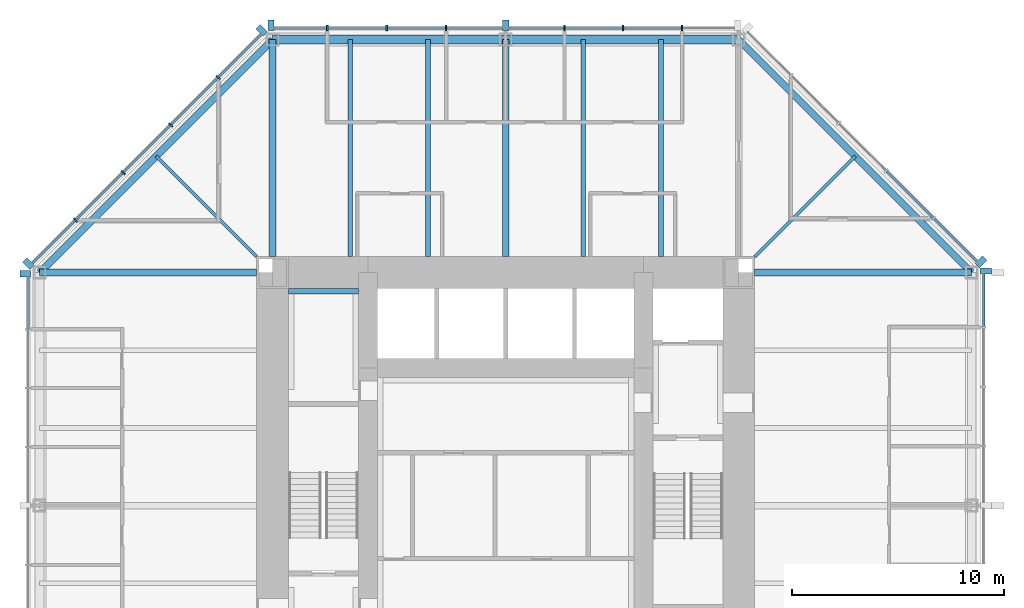
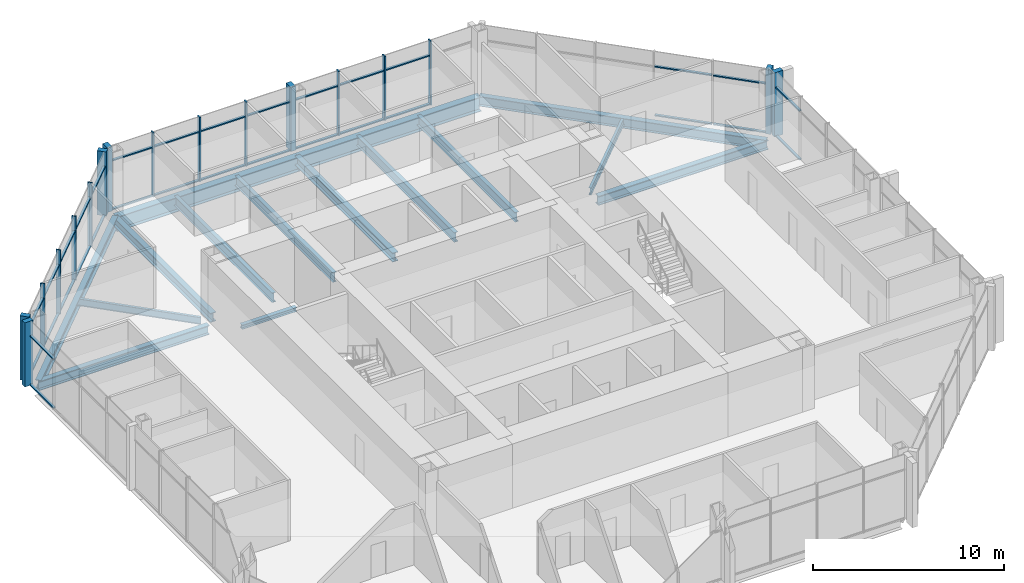
# One storey, part 5 of 12: 49 members, 15 beams, 5 elements without a shape of their own.
"""IFC4 building model written with IfcOpenShell, lengths in metres."""

from ifc_helpers import new_model, si_unit, direction, frame, origin, origin_2d, place, context, subcontext, project, spatial, rectangle, i_section, extrude, material, material_profile, profile_set, type_object, element, aggregate, save


model = new_model("IFC4")

# Units and contexts
model_context = context("Model", 3, precision=1e-05, world=origin(), true_north=direction((0.0, 1.0)))
body_context = subcontext(model_context, "Body", "Model", "MODEL_VIEW")
ifc_project = project(units=[si_unit("LENGTHUNIT", "METRE"), si_unit("AREAUNIT", "SQUARE_METRE"), si_unit("VOLUMEUNIT", "CUBIC_METRE"), si_unit("PLANEANGLEUNIT", "RADIAN"), si_unit("MASSUNIT", "GRAM", prefix="KILO")], contexts=[model_context])

# Site, building, storey
site_placement = place(None, origin())
site = spatial("IfcSite", under=ifc_project, at=site_placement, CompositionType="ELEMENT")
building_placement = place(site_placement, origin())
building = spatial("IfcBuilding", under=site, at=building_placement, Name="Trevanion Tower", CompositionType="ELEMENT")
storey_placement = place(building_placement, frame((0.0, 0.0, 162.300048828125)))
storey = spatial("IfcBuildingStorey", under=building, at=storey_placement, Name="L38", CompositionType="ELEMENT", Elevation=162.300048828125)

# Beams
ifc_material_1 = material(Name="Steel ASTM A992 Grade 50", Category="steel")
ifc_material_profile_1 = material_profile(ifc_material_1, i_section(OverallWidth=0.22900390625, OverallDepth=0.612060546875, WebThickness=0.011962890625, FlangeThickness=0.01953125, at=origin_2d()), Name="W24X84")
ifc_profile_set_1 = profile_set([ifc_material_profile_1], Name="Steel ASTM A992 Grade 50")
beam_type_1 = type_object("IfcBeamType", Name="B7 W24X84", PredefinedType="BEAM", material=ifc_profile_set_1)
for number, where, z_axis, x_axis, name in (
    (1, (7.333251953125, 11.75, -0.49609375), (0.0, 1.0, 0.0), (-1.0, 0.0, 0.0), "B7 L38"),
    (2, (3.666748046875, 11.75, -0.49609375), (0.0, 1.0, 0.0), (-1.0, 0.0, 0.0), "B7 L38"),
    (3, (-3.666748046875, 11.75, -0.49609375), (0.0, 1.0, 0.0), (-1.0, 0.0, 0.0), "B7 L38"),
    (4, (-7.333251953125, 11.75, -0.49609375), (0.0, 1.0, 0.0), (-1.0, 0.0, 0.0), "B7 L38"),
):
    element("IfcBeam", number, at=place(storey_placement, frame(where, z_axis=z_axis, x_axis=x_axis)), inside=storey, type_object=beam_type_1, Name=name, PredefinedType="BEAM", context=body_context, shape_type="SweptSolid", body=[
        extrude(i_section(OverallWidth=0.22900390625, OverallDepth=0.612060546875, WebThickness=0.011962890625, FlangeThickness=0.01953125, at=origin_2d()), origin(), (0.0, 0.0, 1.0), 10.25),
    ])
ifc_material_2 = material(Name="Steel ASTM A992 Grade 50", Category="steel")
ifc_material_profile_2 = material_profile(ifc_material_2, i_section(OverallWidth=0.15234375, OverallDepth=0.449462890625, WebThickness=0.007568359375, FlangeThickness=0.0107421875, at=origin_2d()), Name="W18X35")
ifc_profile_set_2 = profile_set([ifc_material_profile_2], Name="Steel ASTM A992 Grade 50")
beam_type_2 = type_object("IfcBeamType", Name="B8 W18X35", PredefinedType="BEAM", material=ifc_profile_set_2)
for number, where, z_axis, x_axis, name in (
    (5, (11.75, 11.75, -0.414794921875), (0.707106781187, 0.707106781187, 0.0), (-0.707106781187, 0.707106781187, 0.0), "B8 L38"),
    (6, (-11.75, 11.75, -0.414794921875), (-0.707106781187, 0.707106781187, 0.0), (-0.707106781187, -0.707106781187, 0.0), "B8 L38"),
):
    element("IfcBeam", number, at=place(storey_placement, frame(where, z_axis=z_axis, x_axis=x_axis)), inside=storey, type_object=beam_type_2, Name=name, PredefinedType="BEAM", context=body_context, shape_type="SweptSolid", body=[
        extrude(i_section(OverallWidth=0.15234375, OverallDepth=0.449462890625, WebThickness=0.007568359375, FlangeThickness=0.0107421875, at=origin_2d()), origin(), (0.0, 0.0, 1.0), 6.717529296875),
    ])

# Curtain wall, members
ifc_material_3 = material(Name="Aluminium and glass", Category="aluminium")
curtain_wall_type = type_object("IfcCurtainWallType", Name="CW2 curtain wall", PredefinedType="USERDEFINED", material=ifc_material_3)
curtain_wall_1_placement = place(storey_placement, origin())
curtain_wall_1 = element("IfcCurtainWall", 7, at=curtain_wall_1_placement, inside=storey, type_object=curtain_wall_type, Name="CW2 L38 2", ObjectType="UNITISED CURTAIN WALL", PredefinedType="USERDEFINED")
ifc_material_4 = material(Name="Aluminium extrusion, anodised bronze", Category="aluminium")
ifc_material_profile_3 = material_profile(ifc_material_4, rectangle(XDim=0.074951171875, YDim=0.25, at=origin_2d()), Name="CW2 mullion")
ifc_profile_set_3 = profile_set([ifc_material_profile_3], Name="Aluminium extrusion, anodised bronze")
member_type_1 = type_object("IfcMemberType", Name="CW2 mullion", PredefinedType="MULLION", material=ifc_profile_set_3)
member_1_placement = place(storey_placement, frame((8.323486328125, 22.550048828125, -0.18994140625), z_axis=(0.0, 0.0, 1.0), x_axis=(-1.0, 0.0, 0.0)))
member_1 = element("IfcMember", 8, at=member_1_placement, type_object=member_type_1, Name="CW2 mullion 2", PredefinedType="MULLION", context=body_context, shape_type="SweptSolid", body=[
    extrude(rectangle(XDim=0.074951171875, YDim=0.25, at=origin_2d()), origin(), (0.0, 0.0, 1.0), 4.099853515625),
])
member_2_placement = place(storey_placement, frame((5.548828125, 22.550048828125, -0.18994140625), z_axis=(0.0, 0.0, 1.0), x_axis=(-1.0, 0.0, 0.0)))
member_2 = element("IfcMember", 9, at=member_2_placement, type_object=member_type_1, Name="CW2 mullion 3", PredefinedType="MULLION", context=body_context, shape_type="SweptSolid", body=[
    extrude(rectangle(XDim=0.074951171875, YDim=0.25, at=origin_2d()), origin(), (0.0, 0.0, 1.0), 4.099853515625),
])
member_3_placement = place(storey_placement, frame((2.7744140625, 22.550048828125, -0.18994140625), z_axis=(0.0, 0.0, 1.0), x_axis=(-1.0, 0.0, 0.0)))
member_3 = element("IfcMember", 10, at=member_3_placement, type_object=member_type_1, Name="CW2 mullion 4", PredefinedType="MULLION", context=body_context, shape_type="SweptSolid", body=[
    extrude(rectangle(XDim=0.074951171875, YDim=0.25, at=origin_2d()), origin(), (0.0, 0.0, 1.0), 4.099853515625),
])
member_4_placement = place(storey_placement, frame((-2.806884765625, 22.550048828125, -0.18994140625), z_axis=(0.0, 0.0, 1.0), x_axis=(-1.0, 0.0, 0.0)))
member_4 = element("IfcMember", 11, at=member_4_placement, type_object=member_type_1, Name="CW2 mullion 6", PredefinedType="MULLION", context=body_context, shape_type="SweptSolid", body=[
    extrude(rectangle(XDim=0.074951171875, YDim=0.25, at=origin_2d()), origin(), (0.0, 0.0, 1.0), 4.099853515625),
])
member_5_placement = place(storey_placement, frame((-5.614013671875, 22.550048828125, -0.18994140625), z_axis=(0.0, 0.0, 1.0), x_axis=(-1.0, 0.0, 0.0)))
member_5 = element("IfcMember", 12, at=member_5_placement, type_object=member_type_1, Name="CW2 mullion 7", PredefinedType="MULLION", context=body_context, shape_type="SweptSolid", body=[
    extrude(rectangle(XDim=0.074951171875, YDim=0.25, at=origin_2d()), origin(), (0.0, 0.0, 1.0), 4.099853515625),
])
member_6_placement = place(storey_placement, frame((-8.4208984375, 22.550048828125, -0.18994140625), z_axis=(0.0, 0.0, 1.0), x_axis=(-1.0, 0.0, 0.0)))
member_6 = element("IfcMember", 13, at=member_6_placement, type_object=member_type_1, Name="CW2 mullion 8", PredefinedType="MULLION", context=body_context, shape_type="SweptSolid", body=[
    extrude(rectangle(XDim=0.074951171875, YDim=0.25, at=origin_2d()), origin(), (0.0, 0.0, 1.0), 4.099853515625),
])

curtain_wall_2_placement = place(storey_placement, origin())
curtain_wall_2 = element("IfcCurtainWall", 14, at=curtain_wall_2_placement, inside=storey, type_object=curtain_wall_type, Name="CW2 L38 3", ObjectType="UNITISED CURTAIN WALL", PredefinedType="USERDEFINED")
member_7_placement = place(storey_placement, frame((-13.56591796875, 20.2119140625, -0.18994140625), z_axis=(0.0, 0.0, 1.0), x_axis=(-0.707106781187, -0.707106781187, 0.0)))
member_7 = element("IfcMember", 15, at=member_7_placement, type_object=member_type_1, Name="CW2 mullion 2", PredefinedType="MULLION", context=body_context, shape_type="SweptSolid", body=[
    extrude(rectangle(XDim=0.074951171875, YDim=0.25, at=origin_2d()), origin(), (0.0, 0.0, 1.0), 4.099853515625),
])
member_8_placement = place(storey_placement, frame((-15.811767578125, 17.966064453125, -0.18994140625), z_axis=(0.0, 0.0, 1.0), x_axis=(-0.707106781187, -0.707106781187, 0.0)))
member_8 = element("IfcMember", 16, at=member_8_placement, type_object=member_type_1, Name="CW2 mullion 3", PredefinedType="MULLION", context=body_context, shape_type="SweptSolid", body=[
    extrude(rectangle(XDim=0.074951171875, YDim=0.25, at=origin_2d()), origin(), (0.0, 0.0, 1.0), 4.099853515625),
])
member_9_placement = place(storey_placement, frame((-18.057861328125, 15.719970703125, -0.18994140625), z_axis=(0.0, 0.0, 1.0), x_axis=(-0.707106781187, -0.707106781187, 0.0)))
member_9 = element("IfcMember", 17, at=member_9_placement, type_object=member_type_1, Name="CW2 mullion 4", PredefinedType="MULLION", context=body_context, shape_type="SweptSolid", body=[
    extrude(rectangle(XDim=0.074951171875, YDim=0.25, at=origin_2d()), origin(), (0.0, 0.0, 1.0), 4.099853515625),
])
member_10_placement = place(storey_placement, frame((-20.303955078125, 13.473876953125, -0.18994140625), z_axis=(0.0, 0.0, 1.0), x_axis=(-0.707106781187, -0.707106781187, 0.0)))
member_10 = element("IfcMember", 18, at=member_10_placement, type_object=member_type_1, Name="CW2 mullion 5", PredefinedType="MULLION", context=body_context, shape_type="SweptSolid", body=[
    extrude(rectangle(XDim=0.074951171875, YDim=0.25, at=origin_2d()), origin(), (0.0, 0.0, 1.0), 4.099853515625),
])

# Curtain wall, member
curtain_wall_3_placement = place(storey_placement, origin())
curtain_wall_3 = element("IfcCurtainWall", 19, at=curtain_wall_3_placement, inside=storey, type_object=curtain_wall_type, Name="CW2 L38 0", ObjectType="UNITISED CURTAIN WALL", PredefinedType="USERDEFINED")
ifc_material_5 = material(Name="Aluminium extrusion, anodised bronze", Category="aluminium")
ifc_material_profile_4 = material_profile(ifc_material_5, rectangle(XDim=0.300048828125, YDim=0.5, at=origin_2d()), Name="CW2 pier mullion")
ifc_profile_set_4 = profile_set([ifc_material_profile_4], Name="Aluminium extrusion, anodised bronze")
member_type_2 = type_object("IfcMemberType", Name="CW2 pier mullion", PredefinedType="MULLION", material=ifc_profile_set_4)
member_11_placement = place(storey_placement, frame((22.675048828125, 11.077880859375, -0.18994140625), z_axis=(0.0, 0.0, 1.0), x_axis=(0.0, 1.0, 0.0)))
member_11 = element("IfcMember", 20, at=member_11_placement, type_object=member_type_2, Name="CW2 pier mullion 9", PredefinedType="MULLION", context=body_context, shape_type="SweptSolid", body=[
    extrude(rectangle(XDim=0.300048828125, YDim=0.5, at=origin_2d()), origin(), (0.0, 0.0, 1.0), 4.099853515625),
])

curtain_wall_4_placement = place(storey_placement, origin())
curtain_wall_4 = element("IfcCurtainWall", 21, at=curtain_wall_4_placement, inside=storey, type_object=curtain_wall_type, Name="CW2 L38 1", ObjectType="UNITISED CURTAIN WALL", PredefinedType="USERDEFINED")
member_12_placement = place(storey_placement, frame((22.4404296875, 11.51416015625, -0.18994140625), z_axis=(0.0, 0.0, 1.0), x_axis=(-0.707106781187, 0.707106781187, 0.0)))
member_12 = element("IfcMember", 22, at=member_12_placement, type_object=member_type_2, Name="CW2 pier mullion 1", PredefinedType="MULLION", context=body_context, shape_type="SweptSolid", body=[
    extrude(rectangle(XDim=0.300048828125, YDim=0.5, at=origin_2d()), origin(), (0.0, 0.0, 1.0), 4.099853515625),
])

# Member
member_13_placement = place(storey_placement, frame((0.0, 22.675048828125, -0.18994140625), z_axis=(0.0, 0.0, 1.0), x_axis=(-1.0, 0.0, 0.0)))
member_13 = element("IfcMember", 23, at=member_13_placement, type_object=member_type_2, Name="CW2 pier mullion 5", PredefinedType="MULLION", context=body_context, shape_type="SweptSolid", body=[
    extrude(rectangle(XDim=0.300048828125, YDim=0.5, at=origin_2d()), origin(), (0.0, 0.0, 1.0), 4.099853515625),
])

member_14_placement = place(storey_placement, frame((-11.077880859375, 22.675048828125, -0.18994140625), z_axis=(0.0, 0.0, 1.0), x_axis=(-1.0, 0.0, 0.0)))
member_14 = element("IfcMember", 24, at=member_14_placement, type_object=member_type_2, Name="CW2 pier mullion 9", PredefinedType="MULLION", context=body_context, shape_type="SweptSolid", body=[
    extrude(rectangle(XDim=0.300048828125, YDim=0.5, at=origin_2d()), origin(), (0.0, 0.0, 1.0), 4.099853515625),
])

member_15_placement = place(storey_placement, frame((-11.51416015625, 22.4404296875, -0.18994140625), z_axis=(0.0, 0.0, 1.0), x_axis=(-0.707106781187, -0.707106781187, 0.0)))
member_15 = element("IfcMember", 25, at=member_15_placement, type_object=member_type_2, Name="CW2 pier mullion 1", PredefinedType="MULLION", context=body_context, shape_type="SweptSolid", body=[
    extrude(rectangle(XDim=0.300048828125, YDim=0.5, at=origin_2d()), origin(), (0.0, 0.0, 1.0), 4.099853515625),
])

member_16_placement = place(storey_placement, frame((-22.5322265625, 11.42236328125, -0.18994140625), z_axis=(0.0, 0.0, 1.0), x_axis=(-0.707106781187, -0.707106781187, 0.0)))
member_16 = element("IfcMember", 26, at=member_16_placement, type_object=member_type_2, Name="CW2 pier mullion 6", PredefinedType="MULLION", context=body_context, shape_type="SweptSolid", body=[
    extrude(rectangle(XDim=0.300048828125, YDim=0.5, at=origin_2d()), origin(), (0.0, 0.0, 1.0), 4.099853515625),
])

# Curtain wall, member
curtain_wall_5_placement = place(storey_placement, origin())
curtain_wall_5 = element("IfcCurtainWall", 27, at=curtain_wall_5_placement, inside=storey, type_object=curtain_wall_type, Name="CW2 L38 4", ObjectType="UNITISED CURTAIN WALL", PredefinedType="USERDEFINED")
member_17_placement = place(storey_placement, frame((-22.675048828125, 10.94775390625, -0.18994140625), z_axis=(0.0, 0.0, 1.0), x_axis=(0.0, -1.0, 0.0)))
member_17 = element("IfcMember", 28, at=member_17_placement, type_object=member_type_2, Name="CW2 pier mullion 1", PredefinedType="MULLION", context=body_context, shape_type="SweptSolid", body=[
    extrude(rectangle(XDim=0.300048828125, YDim=0.5, at=origin_2d()), origin(), (0.0, 0.0, 1.0), 4.099853515625),
])

# Member
ifc_material_6 = material(Name="Aluminium extrusion, anodised bronze", Category="aluminium")
ifc_material_profile_5 = material_profile(ifc_material_6, rectangle(XDim=0.14990234375, YDim=0.074951171875, at=origin_2d()), Name="CW2 transom")
ifc_profile_set_5 = profile_set([ifc_material_profile_5], Name="Aluminium extrusion, anodised bronze")
member_type_3 = type_object("IfcMemberType", Name="CW2 transom", PredefinedType="USERDEFINED", material=ifc_profile_set_5)
member_18_placement = place(storey_placement, frame((22.550048828125, 8.45849609375, -0.152587890625), z_axis=(0.0, 1.0, 0.0), x_axis=(-1.0, 0.0, 0.0)))
member_18 = element("IfcMember", 29, at=member_18_placement, type_object=member_type_3, Name="CW2 transom 8.1", ObjectType="TRANSOM", PredefinedType="USERDEFINED", context=body_context, shape_type="SweptSolid", body=[
    extrude(rectangle(XDim=0.14990234375, YDim=0.074951171875, at=origin_2d()), origin(), (0.0, 0.0, 1.0), 2.46923828125),
])

member_19_placement = place(storey_placement, frame((22.550048828125, 8.45849609375, 2.9599609375), z_axis=(0.0, 1.0, 0.0), x_axis=(-1.0, 0.0, 0.0)))
member_19 = element("IfcMember", 30, at=member_19_placement, type_object=member_type_3, Name="CW2 transom 8.2", ObjectType="TRANSOM", PredefinedType="USERDEFINED", context=body_context, shape_type="SweptSolid", body=[
    extrude(rectangle(XDim=0.14990234375, YDim=0.074951171875, at=origin_2d()), origin(), (0.0, 0.0, 1.0), 2.46923828125),
])

aggregate(curtain_wall_3, [member_11, member_18, member_19])

member_20_placement = place(storey_placement, frame((22.245849609375, 11.531982421875, -0.152587890625), z_axis=(-0.707106781187, 0.707106781187, 0.0), x_axis=(-0.707106781187, -0.707106781187, 0.0)))
member_20 = element("IfcMember", 31, at=member_20_placement, type_object=member_type_3, Name="CW2 transom 1.1", ObjectType="TRANSOM", PredefinedType="USERDEFINED", context=body_context, shape_type="SweptSolid", body=[
    extrude(rectangle(XDim=0.14990234375, YDim=0.074951171875, at=origin_2d()), origin(), (0.0, 0.0, 1.0), 2.8388671875),
])

member_21_placement = place(storey_placement, frame((22.245849609375, 11.531982421875, 2.9599609375), z_axis=(-0.707106781187, 0.707106781187, 0.0), x_axis=(-0.707106781187, -0.707106781187, 0.0)))
member_21 = element("IfcMember", 32, at=member_21_placement, type_object=member_type_3, Name="CW2 transom 1.2", ObjectType="TRANSOM", PredefinedType="USERDEFINED", context=body_context, shape_type="SweptSolid", body=[
    extrude(rectangle(XDim=0.14990234375, YDim=0.074951171875, at=origin_2d()), origin(), (0.0, 0.0, 1.0), 2.8388671875),
])

member_22_placement = place(storey_placement, frame((20.185546875, 13.59228515625, -0.152587890625), z_axis=(-0.707106781187, 0.707106781187, 0.0), x_axis=(-0.707106781187, -0.707106781187, 0.0)))
member_22 = element("IfcMember", 33, at=member_22_placement, type_object=member_type_3, Name="CW2 transom 2.1", ObjectType="TRANSOM", PredefinedType="USERDEFINED", context=body_context, shape_type="SweptSolid", body=[
    extrude(rectangle(XDim=0.14990234375, YDim=0.074951171875, at=origin_2d()), origin(), (0.0, 0.0, 1.0), 3.1015625),
])

member_23_placement = place(storey_placement, frame((20.185546875, 13.59228515625, 2.9599609375), z_axis=(-0.707106781187, 0.707106781187, 0.0), x_axis=(-0.707106781187, -0.707106781187, 0.0)))
member_23 = element("IfcMember", 34, at=member_23_placement, type_object=member_type_3, Name="CW2 transom 2.2", ObjectType="TRANSOM", PredefinedType="USERDEFINED", context=body_context, shape_type="SweptSolid", body=[
    extrude(rectangle(XDim=0.14990234375, YDim=0.074951171875, at=origin_2d()), origin(), (0.0, 0.0, 1.0), 3.1015625),
])

aggregate(curtain_wall_4, [member_12, member_20, member_21, member_22, member_23])

member_24_placement = place(storey_placement, frame((8.285888671875, 22.550048828125, -0.152587890625), z_axis=(-1.0, 0.0, 0.0), x_axis=(0.0, -1.0, 0.0)))
member_24 = element("IfcMember", 35, at=member_24_placement, type_object=member_type_3, Name="CW2 transom 2.1", ObjectType="TRANSOM", PredefinedType="USERDEFINED", context=body_context, shape_type="SweptSolid", body=[
    extrude(rectangle(XDim=0.14990234375, YDim=0.074951171875, at=origin_2d()), origin(), (0.0, 0.0, 1.0), 2.699462890625),
])

member_25_placement = place(storey_placement, frame((8.285888671875, 22.550048828125, 2.9599609375), z_axis=(-1.0, 0.0, 0.0), x_axis=(0.0, -1.0, 0.0)))
member_25 = element("IfcMember", 36, at=member_25_placement, type_object=member_type_3, Name="CW2 transom 2.2", ObjectType="TRANSOM", PredefinedType="USERDEFINED", context=body_context, shape_type="SweptSolid", body=[
    extrude(rectangle(XDim=0.14990234375, YDim=0.074951171875, at=origin_2d()), origin(), (0.0, 0.0, 1.0), 2.699462890625),
])

member_26_placement = place(storey_placement, frame((5.511474609375, 22.550048828125, -0.152587890625), z_axis=(-1.0, 0.0, 0.0), x_axis=(0.0, -1.0, 0.0)))
member_26 = element("IfcMember", 37, at=member_26_placement, type_object=member_type_3, Name="CW2 transom 3.1", ObjectType="TRANSOM", PredefinedType="USERDEFINED", context=body_context, shape_type="SweptSolid", body=[
    extrude(rectangle(XDim=0.14990234375, YDim=0.074951171875, at=origin_2d()), origin(), (0.0, 0.0, 1.0), 2.699462890625),
])

member_27_placement = place(storey_placement, frame((5.511474609375, 22.550048828125, 2.9599609375), z_axis=(-1.0, 0.0, 0.0), x_axis=(0.0, -1.0, 0.0)))
member_27 = element("IfcMember", 38, at=member_27_placement, type_object=member_type_3, Name="CW2 transom 3.2", ObjectType="TRANSOM", PredefinedType="USERDEFINED", context=body_context, shape_type="SweptSolid", body=[
    extrude(rectangle(XDim=0.14990234375, YDim=0.074951171875, at=origin_2d()), origin(), (0.0, 0.0, 1.0), 2.699462890625),
])

member_28_placement = place(storey_placement, frame((2.737060546875, 22.550048828125, -0.152587890625), z_axis=(-1.0, 0.0, 0.0), x_axis=(0.0, -1.0, 0.0)))
member_28 = element("IfcMember", 39, at=member_28_placement, type_object=member_type_3, Name="CW2 transom 4.1", ObjectType="TRANSOM", PredefinedType="USERDEFINED", context=body_context, shape_type="SweptSolid", body=[
    extrude(rectangle(XDim=0.14990234375, YDim=0.074951171875, at=origin_2d()), origin(), (0.0, 0.0, 1.0), 2.587158203125),
])

member_29_placement = place(storey_placement, frame((2.737060546875, 22.550048828125, 2.9599609375), z_axis=(-1.0, 0.0, 0.0), x_axis=(0.0, -1.0, 0.0)))
member_29 = element("IfcMember", 40, at=member_29_placement, type_object=member_type_3, Name="CW2 transom 4.2", ObjectType="TRANSOM", PredefinedType="USERDEFINED", context=body_context, shape_type="SweptSolid", body=[
    extrude(rectangle(XDim=0.14990234375, YDim=0.074951171875, at=origin_2d()), origin(), (0.0, 0.0, 1.0), 2.587158203125),
])

member_30_placement = place(storey_placement, frame((-0.14990234375, 22.550048828125, -0.152587890625), z_axis=(-1.0, 0.0, 0.0), x_axis=(0.0, -1.0, 0.0)))
member_30 = element("IfcMember", 41, at=member_30_placement, type_object=member_type_3, Name="CW2 transom 5.1", ObjectType="TRANSOM", PredefinedType="USERDEFINED", context=body_context, shape_type="SweptSolid", body=[
    extrude(rectangle(XDim=0.14990234375, YDim=0.074951171875, at=origin_2d()), origin(), (0.0, 0.0, 1.0), 2.619384765625),
])

member_31_placement = place(storey_placement, frame((-0.14990234375, 22.550048828125, 2.9599609375), z_axis=(-1.0, 0.0, 0.0), x_axis=(0.0, -1.0, 0.0)))
member_31 = element("IfcMember", 42, at=member_31_placement, type_object=member_type_3, Name="CW2 transom 5.2", ObjectType="TRANSOM", PredefinedType="USERDEFINED", context=body_context, shape_type="SweptSolid", body=[
    extrude(rectangle(XDim=0.14990234375, YDim=0.074951171875, at=origin_2d()), origin(), (0.0, 0.0, 1.0), 2.619384765625),
])

member_32_placement = place(storey_placement, frame((-2.844482421875, 22.550048828125, -0.152587890625), z_axis=(-1.0, 0.0, 0.0), x_axis=(0.0, -1.0, 0.0)))
member_32 = element("IfcMember", 43, at=member_32_placement, type_object=member_type_3, Name="CW2 transom 6.1", ObjectType="TRANSOM", PredefinedType="USERDEFINED", context=body_context, shape_type="SweptSolid", body=[
    extrude(rectangle(XDim=0.14990234375, YDim=0.074951171875, at=origin_2d()), origin(), (0.0, 0.0, 1.0), 2.73193359375),
])

member_33_placement = place(storey_placement, frame((-2.844482421875, 22.550048828125, 2.9599609375), z_axis=(-1.0, 0.0, 0.0), x_axis=(0.0, -1.0, 0.0)))
member_33 = element("IfcMember", 44, at=member_33_placement, type_object=member_type_3, Name="CW2 transom 6.2", ObjectType="TRANSOM", PredefinedType="USERDEFINED", context=body_context, shape_type="SweptSolid", body=[
    extrude(rectangle(XDim=0.14990234375, YDim=0.074951171875, at=origin_2d()), origin(), (0.0, 0.0, 1.0), 2.73193359375),
])

member_34_placement = place(storey_placement, frame((-5.6513671875, 22.550048828125, -0.152587890625), z_axis=(-1.0, 0.0, 0.0), x_axis=(0.0, -1.0, 0.0)))
member_34 = element("IfcMember", 45, at=member_34_placement, type_object=member_type_3, Name="CW2 transom 7.1", ObjectType="TRANSOM", PredefinedType="USERDEFINED", context=body_context, shape_type="SweptSolid", body=[
    extrude(rectangle(XDim=0.14990234375, YDim=0.074951171875, at=origin_2d()), origin(), (0.0, 0.0, 1.0), 2.73193359375),
])

member_35_placement = place(storey_placement, frame((-5.6513671875, 22.550048828125, 2.9599609375), z_axis=(-1.0, 0.0, 0.0), x_axis=(0.0, -1.0, 0.0)))
member_35 = element("IfcMember", 46, at=member_35_placement, type_object=member_type_3, Name="CW2 transom 7.2", ObjectType="TRANSOM", PredefinedType="USERDEFINED", context=body_context, shape_type="SweptSolid", body=[
    extrude(rectangle(XDim=0.14990234375, YDim=0.074951171875, at=origin_2d()), origin(), (0.0, 0.0, 1.0), 2.73193359375),
])

member_36_placement = place(storey_placement, frame((-8.45849609375, 22.550048828125, -0.152587890625), z_axis=(-1.0, 0.0, 0.0), x_axis=(0.0, -1.0, 0.0)))
member_36 = element("IfcMember", 47, at=member_36_placement, type_object=member_type_3, Name="CW2 transom 8.1", ObjectType="TRANSOM", PredefinedType="USERDEFINED", context=body_context, shape_type="SweptSolid", body=[
    extrude(rectangle(XDim=0.14990234375, YDim=0.074951171875, at=origin_2d()), origin(), (0.0, 0.0, 1.0), 2.46923828125),
])

member_37_placement = place(storey_placement, frame((-8.45849609375, 22.550048828125, 2.9599609375), z_axis=(-1.0, 0.0, 0.0), x_axis=(0.0, -1.0, 0.0)))
member_37 = element("IfcMember", 48, at=member_37_placement, type_object=member_type_3, Name="CW2 transom 8.2", ObjectType="TRANSOM", PredefinedType="USERDEFINED", context=body_context, shape_type="SweptSolid", body=[
    extrude(rectangle(XDim=0.14990234375, YDim=0.074951171875, at=origin_2d()), origin(), (0.0, 0.0, 1.0), 2.46923828125),
])

aggregate(curtain_wall_1, [member_1, member_2, member_3, member_13, member_4, member_5, member_6, member_14, member_24, member_25, member_26, member_27, member_28, member_29, member_30, member_31, member_32, member_33, member_34, member_35, member_36, member_37])

member_38_placement = place(storey_placement, frame((-11.531982421875, 22.245849609375, -0.152587890625), z_axis=(-0.707106781187, -0.707106781187, 0.0), x_axis=(0.707106781187, -0.707106781187, 0.0)))
member_38 = element("IfcMember", 49, at=member_38_placement, type_object=member_type_3, Name="CW2 transom 1.1", ObjectType="TRANSOM", PredefinedType="USERDEFINED", context=body_context, shape_type="SweptSolid", body=[
    extrude(rectangle(XDim=0.14990234375, YDim=0.074951171875, at=origin_2d()), origin(), (0.0, 0.0, 1.0), 2.8388671875),
])

member_39_placement = place(storey_placement, frame((-11.531982421875, 22.245849609375, 2.9599609375), z_axis=(-0.707106781187, -0.707106781187, 0.0), x_axis=(0.707106781187, -0.707106781187, 0.0)))
member_39 = element("IfcMember", 50, at=member_39_placement, type_object=member_type_3, Name="CW2 transom 1.2", ObjectType="TRANSOM", PredefinedType="USERDEFINED", context=body_context, shape_type="SweptSolid", body=[
    extrude(rectangle(XDim=0.14990234375, YDim=0.074951171875, at=origin_2d()), origin(), (0.0, 0.0, 1.0), 2.8388671875),
])

member_40_placement = place(storey_placement, frame((-13.59228515625, 20.185546875, -0.152587890625), z_axis=(-0.707106781187, -0.707106781187, 0.0), x_axis=(0.707106781187, -0.707106781187, 0.0)))
member_40 = element("IfcMember", 51, at=member_40_placement, type_object=member_type_3, Name="CW2 transom 2.1", ObjectType="TRANSOM", PredefinedType="USERDEFINED", context=body_context, shape_type="SweptSolid", body=[
    extrude(rectangle(XDim=0.14990234375, YDim=0.074951171875, at=origin_2d()), origin(), (0.0, 0.0, 1.0), 3.1015625),
])

member_41_placement = place(storey_placement, frame((-13.59228515625, 20.185546875, 2.9599609375), z_axis=(-0.707106781187, -0.707106781187, 0.0), x_axis=(0.707106781187, -0.707106781187, 0.0)))
member_41 = element("IfcMember", 52, at=member_41_placement, type_object=member_type_3, Name="CW2 transom 2.2", ObjectType="TRANSOM", PredefinedType="USERDEFINED", context=body_context, shape_type="SweptSolid", body=[
    extrude(rectangle(XDim=0.14990234375, YDim=0.074951171875, at=origin_2d()), origin(), (0.0, 0.0, 1.0), 3.1015625),
])

member_42_placement = place(storey_placement, frame((-15.83837890625, 17.939453125, -0.152587890625), z_axis=(-0.707106781187, -0.707106781187, 0.0), x_axis=(0.707106781187, -0.707106781187, 0.0)))
member_42 = element("IfcMember", 53, at=member_42_placement, type_object=member_type_3, Name="CW2 transom 3.1", ObjectType="TRANSOM", PredefinedType="USERDEFINED", context=body_context, shape_type="SweptSolid", body=[
    extrude(rectangle(XDim=0.14990234375, YDim=0.074951171875, at=origin_2d()), origin(), (0.0, 0.0, 1.0), 3.1015625),
])

member_43_placement = place(storey_placement, frame((-15.83837890625, 17.939453125, 2.9599609375), z_axis=(-0.707106781187, -0.707106781187, 0.0), x_axis=(0.707106781187, -0.707106781187, 0.0)))
member_43 = element("IfcMember", 54, at=member_43_placement, type_object=member_type_3, Name="CW2 transom 3.2", ObjectType="TRANSOM", PredefinedType="USERDEFINED", context=body_context, shape_type="SweptSolid", body=[
    extrude(rectangle(XDim=0.14990234375, YDim=0.074951171875, at=origin_2d()), origin(), (0.0, 0.0, 1.0), 3.1015625),
])

member_44_placement = place(storey_placement, frame((-18.08447265625, 15.693359375, -0.152587890625), z_axis=(-0.707106781187, -0.707106781187, 0.0), x_axis=(0.707106781187, -0.707106781187, 0.0)))
member_44 = element("IfcMember", 55, at=member_44_placement, type_object=member_type_3, Name="CW2 transom 4.1", ObjectType="TRANSOM", PredefinedType="USERDEFINED", context=body_context, shape_type="SweptSolid", body=[
    extrude(rectangle(XDim=0.14990234375, YDim=0.074951171875, at=origin_2d()), origin(), (0.0, 0.0, 1.0), 3.10107421875),
])

member_45_placement = place(storey_placement, frame((-18.08447265625, 15.693359375, 2.9599609375), z_axis=(-0.707106781187, -0.707106781187, 0.0), x_axis=(0.707106781187, -0.707106781187, 0.0)))
member_45 = element("IfcMember", 56, at=member_45_placement, type_object=member_type_3, Name="CW2 transom 4.2", ObjectType="TRANSOM", PredefinedType="USERDEFINED", context=body_context, shape_type="SweptSolid", body=[
    extrude(rectangle(XDim=0.14990234375, YDim=0.074951171875, at=origin_2d()), origin(), (0.0, 0.0, 1.0), 3.10107421875),
])

member_46_placement = place(storey_placement, frame((-20.33056640625, 13.447509765625, -0.152587890625), z_axis=(-0.707063781595, -0.707149778163, 0.0), x_axis=(0.707149778163, -0.707063781595, 0.0)))
member_46 = element("IfcMember", 57, at=member_46_placement, type_object=member_type_3, Name="CW2 transom 5.1", ObjectType="TRANSOM", PredefinedType="USERDEFINED", context=body_context, shape_type="SweptSolid", body=[
    extrude(rectangle(XDim=0.14990234375, YDim=0.074951171875, at=origin_2d()), origin(), (0.0, 0.0, 1.0), 2.8388671875),
])

member_47_placement = place(storey_placement, frame((-20.33056640625, 13.447509765625, 2.9599609375), z_axis=(-0.707063781595, -0.707149778163, 0.0), x_axis=(0.707149778163, -0.707063781595, 0.0)))
member_47 = element("IfcMember", 58, at=member_47_placement, type_object=member_type_3, Name="CW2 transom 5.2", ObjectType="TRANSOM", PredefinedType="USERDEFINED", context=body_context, shape_type="SweptSolid", body=[
    extrude(rectangle(XDim=0.14990234375, YDim=0.074951171875, at=origin_2d()), origin(), (0.0, 0.0, 1.0), 2.8388671875),
])

aggregate(curtain_wall_2, [member_15, member_7, member_8, member_9, member_10, member_16, member_38, member_39, member_40, member_41, member_42, member_43, member_44, member_45, member_46, member_47])

member_48_placement = place(storey_placement, frame((-22.550048828125, 10.7978515625, -0.152587890625), z_axis=(0.0, -1.0, 0.0), x_axis=(1.0, 0.0, 0.0)))
member_48 = element("IfcMember", 59, at=member_48_placement, type_object=member_type_3, Name="CW2 transom 1.1", ObjectType="TRANSOM", PredefinedType="USERDEFINED", context=body_context, shape_type="SweptSolid", body=[
    extrude(rectangle(XDim=0.14990234375, YDim=0.074951171875, at=origin_2d()), origin(), (0.0, 0.0, 1.0), 2.43701171875),
])

member_49_placement = place(storey_placement, frame((-22.550048828125, 10.7978515625, 2.9599609375), z_axis=(0.0, -1.0, 0.0), x_axis=(1.0, 0.0, 0.0)))
member_49 = element("IfcMember", 60, at=member_49_placement, type_object=member_type_3, Name="CW2 transom 1.2", ObjectType="TRANSOM", PredefinedType="USERDEFINED", context=body_context, shape_type="SweptSolid", body=[
    extrude(rectangle(XDim=0.14990234375, YDim=0.074951171875, at=origin_2d()), origin(), (0.0, 0.0, 1.0), 2.43701171875),
])

aggregate(curtain_wall_5, [member_17, member_48, member_49])

# Beams
ifc_material_7 = material(Name="Steel ASTM A992 Grade 50", Category="steel")
ifc_material_profile_6 = material_profile(ifc_material_7, i_section(OverallWidth=0.320068359375, OverallDepth=0.584228515625, WebThickness=0.023193359375, FlangeThickness=0.04150390625, at=origin_2d()), Name="W21X201")
ifc_profile_set_6 = profile_set([ifc_material_profile_6], Name="Steel ASTM A992 Grade 50")
beam_type_3 = type_object("IfcBeamType", Name="G4 W21X201", PredefinedType="BEAM", material=ifc_profile_set_6)
for number, where, z_axis, x_axis, name in (
    (61, (11.75, 11.0, -0.482177734375), (1.0, 0.0, 0.0), (0.0, 1.0, 0.0), "G4 L38"),
    (62, (0.0, 11.75, -0.482177734375), (0.0, 1.0, 0.0), (-1.0, 0.0, 0.0), "G4 L38"),
    (63, (-11.0, 11.75, -0.482177734375), (0.0, 1.0, 0.0), (-1.0, 0.0, 0.0), "G4 L38"),
    (64, (-11.75, 11.0, -0.482177734375), (-1.0, 0.0, 0.0), (0.0, -1.0, 0.0), "G4 L38"),
):
    element("IfcBeam", number, at=place(storey_placement, frame(where, z_axis=z_axis, x_axis=x_axis)), inside=storey, type_object=beam_type_3, Name=name, PredefinedType="BEAM", context=body_context, shape_type="SweptSolid", body=[
        extrude(i_section(OverallWidth=0.320068359375, OverallDepth=0.584228515625, WebThickness=0.023193359375, FlangeThickness=0.04150390625, at=origin_2d()), origin(), (0.0, 0.0, 1.0), 10.25),
    ])
ifc_material_8 = material(Name="Steel ASTM A992 Grade 50", Category="steel")
ifc_material_profile_7 = material_profile(ifc_material_8, i_section(OverallWidth=0.256591796875, OverallDepth=0.26416015625, WebThickness=0.011962890625, FlangeThickness=0.01953125, at=origin_2d()), Name="W10X68")
ifc_profile_set_7 = profile_set([ifc_material_profile_7], Name="Steel ASTM A992 Grade 50")
beam_type_4 = type_object("IfcBeamType", Name="LB1 W10X68", PredefinedType="BEAM", material=ifc_profile_set_7)
beam_placement = place(storey_placement, frame((-10.25, 10.12158203125, -0.33203125), z_axis=(1.0, 0.0, 0.0), x_axis=(0.0, 1.0, 0.0)))
element("IfcBeam", 65, at=beam_placement, inside=storey, type_object=beam_type_4, Name="LB1 L38", PredefinedType="BEAM", context=body_context, shape_type="SweptSolid", body=[
    extrude(i_section(OverallWidth=0.256591796875, OverallDepth=0.26416015625, WebThickness=0.011962890625, FlangeThickness=0.01953125, at=origin_2d()), origin(), (0.0, 0.0, 1.0), 3.300048828125),
])
ifc_material_9 = material(Name="Steel ASTM A992 Grade 50", Category="steel")
ifc_material_profile_8 = material_profile(ifc_material_9, i_section(OverallWidth=0.419189453125, OverallDepth=0.927001953125, WebThickness=0.019287109375, FlangeThickness=0.031982421875, at=origin_2d()), Name="W36X231")
ifc_profile_set_8 = profile_set([ifc_material_profile_8], Name="Steel ASTM A992 Grade 50")
beam_type_5 = type_object("IfcBeamType", Name="SB4 W36X231", PredefinedType="SPANDREL", material=ifc_profile_set_8)
for number, where, z_axis, x_axis, name in (
    (66, (11.0, 22.0, -0.653564453125), (-1.0, 0.0, 0.0), (0.0, -1.0, 0.0), "SB4 L38"),
    (67, (0.0, 22.0, -0.653564453125), (-1.0, 0.0, 0.0), (0.0, -1.0, 0.0), "SB4 L38"),
):
    element("IfcBeam", number, at=place(storey_placement, frame(where, z_axis=z_axis, x_axis=x_axis)), inside=storey, type_object=beam_type_5, Name=name, PredefinedType="SPANDREL", context=body_context, shape_type="SweptSolid", body=[
        extrude(i_section(OverallWidth=0.419189453125, OverallDepth=0.927001953125, WebThickness=0.019287109375, FlangeThickness=0.031982421875, at=origin_2d()), origin(), (0.0, 0.0, 1.0), 11.0),
    ])
ifc_material_10 = material(Name="Steel ASTM A992 Grade 50", Category="steel")
ifc_material_profile_9 = material_profile(ifc_material_10, i_section(OverallWidth=0.32763671875, OverallDepth=0.62744140625, WebThickness=0.0166015625, FlangeThickness=0.027587890625, at=origin_2d()), Name="W24X146")
ifc_profile_set_9 = profile_set([ifc_material_profile_9], Name="Steel ASTM A992 Grade 50")
beam_type_6 = type_object("IfcBeamType", Name="SB5 W24X146", PredefinedType="SPANDREL", material=ifc_profile_set_9)
for number, where, z_axis, x_axis, name in (
    (68, (22.0, 11.0, -0.503662109375), (-0.707106781187, 0.707106781187, 0.0), (-0.707106781187, -0.707106781187, 0.0), "SB5 L38"),
    (69, (-11.0, 22.0, -0.503662109375), (-0.707106781187, -0.707106781187, 0.0), (0.707106781187, -0.707106781187, 0.0), "SB5 L38"),
):
    element("IfcBeam", number, at=place(storey_placement, frame(where, z_axis=z_axis, x_axis=x_axis)), inside=storey, type_object=beam_type_6, Name=name, PredefinedType="SPANDREL", context=body_context, shape_type="SweptSolid", body=[
        extrude(i_section(OverallWidth=0.32763671875, OverallDepth=0.62744140625, WebThickness=0.0166015625, FlangeThickness=0.027587890625, at=origin_2d()), origin(), (0.0, 0.0, 1.0), 15.556396484375),
    ])

save(model, "model.ifc")
